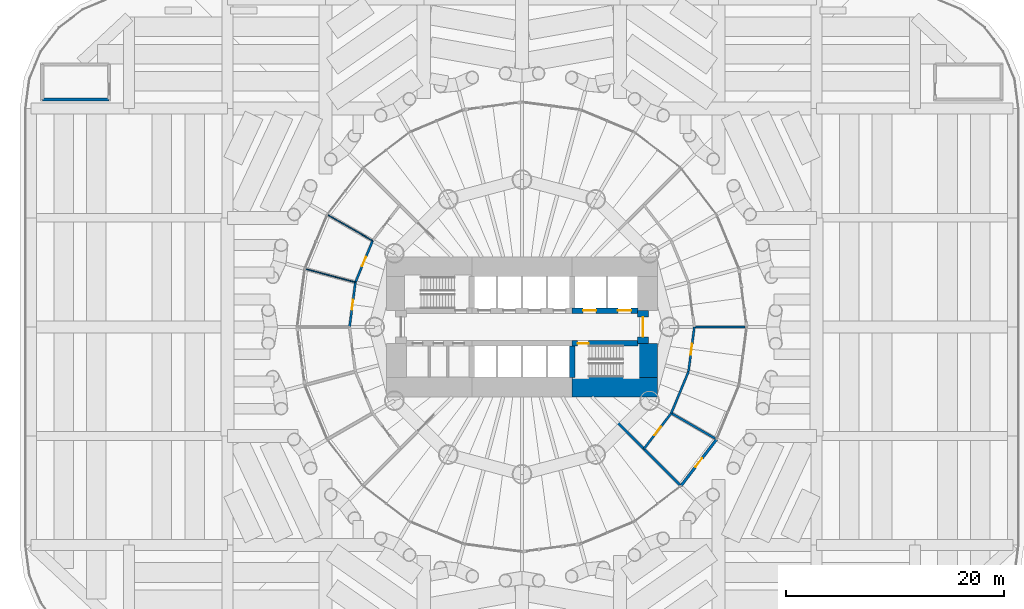
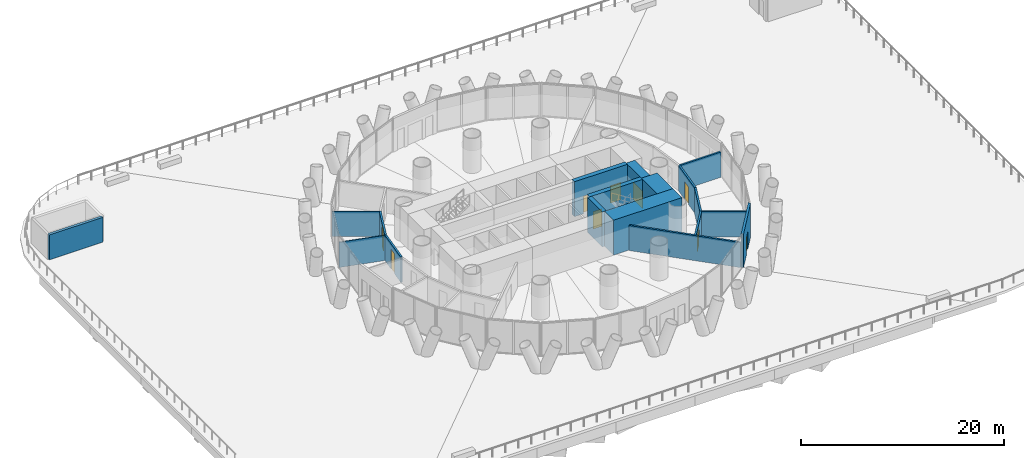
# One storey, part 14 of 19: 18 walls, 9 doors, 9 openings.
"""IFC4 building model written with IfcOpenShell, lengths in metres."""

from ifc_helpers import new_model, si_unit, direction, frame, frame_2d, origin, place, context, subcontext, project, spatial, rectangle, extrude, material, layer, layer_set, type_object, element, fill, save


model = new_model("IFC4")

# Units and contexts
model_context = context("Model", 3, precision=1e-05, world=origin(), true_north=direction((0.0, 1.0)))
body_context = subcontext(model_context, "Body", "Model", "MODEL_VIEW")
ifc_project = project(units=[si_unit("LENGTHUNIT", "METRE"), si_unit("AREAUNIT", "SQUARE_METRE"), si_unit("VOLUMEUNIT", "CUBIC_METRE"), si_unit("PLANEANGLEUNIT", "RADIAN"), si_unit("MASSUNIT", "GRAM", prefix="KILO")], contexts=[model_context])

# Site, building, storey
site_placement = place(None, origin())
site = spatial("IfcSite", under=ifc_project, at=site_placement, CompositionType="ELEMENT")
building_placement = place(site_placement, origin())
building = spatial("IfcBuilding", under=site, at=building_placement, Name="Qaws Media Tower", CompositionType="ELEMENT")
storey_placement = place(building_placement, frame((0.0, 0.0, 26.0)))
storey = spatial("IfcBuildingStorey", under=building, at=storey_placement, Name="L04", CompositionType="ELEMENT", Elevation=26.0)

# Wall, opening, door
ifc_material_1 = material(Name="Precast concrete, exposed finish", Category="concrete")
ifc_layer_1 = layer(ifc_material_1, 0.25)
ifc_layer_set_1 = layer_set([ifc_layer_1], Name="Balcony door wall 250")
wall_type_1 = type_object("IfcWallType", Name="Balcony door wall 250", PredefinedType="SOLIDWALL", material=ifc_layer_set_1)
wall_1_placement = place(storey_placement, frame((74.56640625, 35.43359375, 0.0), z_axis=(0.0, 0.0, 1.0), x_axis=(0.608760311307, 0.793354197933, 0.0)))
wall_1 = element("IfcWall", 1, at=wall_1_placement, inside=storey, type_object=wall_type_1, Name="W107 EW1 roof access wall L04-22", PredefinedType="SOLIDWALL", context=body_context, shape_type="SweptSolid", body=[
    extrude(rectangle(XDim=5.377685546875, YDim=0.25, at=frame_2d((2.68896484375, 0.0))), origin(), (0.0, 0.0, 1.0), 4.0400390625),
])
opening_1_placement = place(wall_1_placement, frame((2.188720703125, 0.0, 0.0)))
opening_1 = element("IfcOpeningElement", 2, at=opening_1_placement, cuts=wall_1, Name="Opening D26", PredefinedType="OPENING", context=body_context, shape_type="SweptSolid", body=[
    extrude(rectangle(XDim=1.0, YDim=2.10009765625, at=frame_2d((0.5, 1.050048828125))), frame((0.0, 0.135009765625, 0.0), z_axis=(0.0, -1.0, 0.0), x_axis=(1.0, 0.0, 0.0)), (0.0, 0.0, 1.0), 0.27001953125),
])
ifc_material_2 = material(Name="Steel, weatherproof, lockable", Category="steel")
door_type_1 = type_object("IfcDoorType", Name="Roof maintenance access door 1000", OperationType="SINGLE_SWING_LEFT", PredefinedType="DOOR", material=ifc_material_2)
door_1_placement = place(opening_1_placement, origin())
door_1 = element("IfcDoor", 3, at=door_1_placement, inside=storey, type_object=door_type_1, Name="D26 roof maintenance access door L04 (maintenance access only) in wall W107", OperationType="SINGLE_SWING_LEFT", OverallHeight=2.10009765625, OverallWidth=1.0, PredefinedType="DOOR", context=body_context, shape_type="SweptSolid", body=[
    extrude(rectangle(XDim=1.0, YDim=2.10009765625, at=frame_2d((0.5, 1.050048828125))), frame((0.0, 0.02490234375, 0.0), z_axis=(0.0, -1.0, 0.0), x_axis=(1.0, 0.0, 0.0)), (0.0, 0.0, 1.0), 0.050048828125),
])
fill(opening_1, door_1)

# Wall, openings, doors
ifc_material_3 = material(Name="Concrete C60/75", Category="concrete")
ifc_layer_2 = layer(ifc_material_3, 0.5)
ifc_layer_set_2 = layer_set([ifc_layer_2], Name="Core inner wall 500")
wall_type_2 = type_object("IfcWallType", Name="Core inner wall 500", PredefinedType="SHEAR", material=ifc_layer_set_2)
wall_2_placement = place(storey_placement, frame((64.60009765625, 51.5, 0.0), z_axis=(0.0, 0.0, 1.0), x_axis=(1.0, 0.0, 0.0)))
wall_2 = element("IfcWall", 4, at=wall_2_placement, inside=storey, type_object=wall_type_2, Name="W336 SW12 core wall SPNE L04", PredefinedType="SHEAR", context=body_context, shape_type="SweptSolid", body=[
    extrude(rectangle(XDim=6.02001953125, YDim=0.5, at=frame_2d((3.010009765625, 0.0))), origin(), (0.0, 0.0, 1.0), 4.199951171875),
])
opening_2_placement = place(wall_2_placement, frame((1.0, 0.0, 0.0)))
opening_2 = element("IfcOpeningElement", 5, at=opening_2_placement, cuts=wall_2, Name="Opening LD2", PredefinedType="OPENING", context=body_context, shape_type="SweptSolid", body=[
    extrude(rectangle(XDim=1.199951171875, YDim=2.10009765625, at=frame_2d((0.60009765625, 1.050048828125))), frame((0.0, 0.260009765625, 0.0), z_axis=(0.0, -1.0, 0.0), x_axis=(1.0, 0.0, 0.0)), (0.0, 0.0, 1.0), 0.52001953125),
])
opening_3_placement = place(wall_2_placement, frame((4.199951171875, 0.0, 0.0)))
opening_3 = element("IfcOpeningElement", 6, at=opening_3_placement, cuts=wall_2, Name="Opening LD2", PredefinedType="OPENING", context=body_context, shape_type="SweptSolid", body=[
    extrude(rectangle(XDim=1.199951171875, YDim=2.10009765625, at=frame_2d((0.60009765625, 1.050048828125))), frame((0.0, 0.260009765625, 0.0), z_axis=(0.0, -1.0, 0.0), x_axis=(1.0, 0.0, 0.0)), (0.0, 0.0, 1.0), 0.52001953125),
])
ifc_material_4 = material(Name="Steel, fire rated", Category="steel")
door_type_2 = type_object("IfcDoorType", Name="Lift landing door 1200", OperationType="SLIDING_TO_LEFT", PredefinedType="DOOR", material=ifc_material_4)
door_2_placement = place(opening_2_placement, origin())
door_2 = element("IfcDoor", 7, at=door_2_placement, inside=storey, type_object=door_type_2, Name="FL1 landing door L04 in wall W336", OperationType="SLIDING_TO_LEFT", OverallHeight=2.10009765625, OverallWidth=1.199951171875, PredefinedType="DOOR", context=body_context, shape_type="SweptSolid", body=[
    extrude(rectangle(XDim=1.199951171875, YDim=2.10009765625, at=frame_2d((0.60009765625, 1.050048828125))), frame((0.0, 0.02490234375, 0.0), z_axis=(0.0, -1.0, 0.0), x_axis=(1.0, 0.0, 0.0)), (0.0, 0.0, 1.0), 0.050048828125),
])
fill(opening_2, door_2)
door_3_placement = place(opening_3_placement, origin())
door_3 = element("IfcDoor", 8, at=door_3_placement, inside=storey, type_object=door_type_2, Name="FL2 landing door L04 in wall W336", OperationType="SLIDING_TO_LEFT", OverallHeight=2.10009765625, OverallWidth=1.199951171875, PredefinedType="DOOR", context=body_context, shape_type="SweptSolid", body=[
    extrude(rectangle(XDim=1.199951171875, YDim=2.10009765625, at=frame_2d((0.60009765625, 1.050048828125))), frame((0.0, 0.02490234375, 0.0), z_axis=(0.0, -1.0, 0.0), x_axis=(1.0, 0.0, 0.0)), (0.0, 0.0, 1.0), 0.050048828125),
])
fill(opening_3, door_3)

# Wall, opening, door
wall_3_placement = place(storey_placement, frame((64.60009765625, 48.5, 0.0), z_axis=(0.0, 0.0, 1.0), x_axis=(1.0, 0.0, 0.0)))
wall_3 = element("IfcWall", 9, at=wall_3_placement, inside=storey, type_object=wall_type_2, Name="W335 SW12 core wall SPSE L04", PredefinedType="SHEAR", context=body_context, shape_type="SweptSolid", body=[
    extrude(rectangle(XDim=6.02001953125, YDim=0.5, at=frame_2d((3.010009765625, 0.0))), origin(), (0.0, 0.0, 1.0), 4.199951171875),
])
opening_4_placement = place(wall_3_placement, frame((0.5, 0.0, 0.0)))
opening_4 = element("IfcOpeningElement", 10, at=opening_4_placement, cuts=wall_3, Name="Opening D1", PredefinedType="OPENING", context=body_context, shape_type="SweptSolid", body=[
    extrude(rectangle(XDim=1.0, YDim=2.10009765625, at=frame_2d((0.5, 1.050048828125))), frame((0.0, 0.260009765625, 0.0), z_axis=(0.0, -1.0, 0.0), x_axis=(1.0, 0.0, 0.0)), (0.0, 0.0, 1.0), 0.52001953125),
])
ifc_material_5 = material(Name="Steel, fire rated", Category="steel")
door_type_3 = type_object("IfcDoorType", Name="Stair door 1000 FD120", OperationType="SINGLE_SWING_LEFT", PredefinedType="DOOR", material=ifc_material_5)
door_4_placement = place(opening_4_placement, origin())
door_4 = element("IfcDoor", 11, at=door_4_placement, inside=storey, type_object=door_type_3, Name="D1 stair S2 door L04 in wall W335", OperationType="SINGLE_SWING_LEFT", OverallHeight=2.10009765625, OverallWidth=1.0, PredefinedType="DOOR", context=body_context, shape_type="SweptSolid", body=[
    extrude(rectangle(XDim=1.0, YDim=2.10009765625, at=frame_2d((0.5, 1.050048828125))), frame((0.0, 0.02490234375, 0.0), z_axis=(0.0, -1.0, 0.0), x_axis=(1.0, 0.0, 0.0)), (0.0, 0.0, 1.0), 0.050048828125),
])
fill(opening_4, door_4)

# Wall
wall_4_placement = place(storey_placement, frame((64.60009765625, 48.27001953125, 0.0), z_axis=(0.0, 0.0, 1.0), x_axis=(0.0, -1.0, 0.0)))
element("IfcWall", 12, at=wall_4_placement, inside=storey, type_object=wall_type_2, Name="W334 SW12 core wall XSE L04", PredefinedType="SHEAR", context=body_context, shape_type="SweptSolid", body=[
    extrude(rectangle(XDim=2.89013671875, YDim=0.5, at=frame_2d((1.445068359375, 0.0))), origin(), (0.0, 0.0, 1.0), 4.199951171875),
])

# Wall, opening, door
ifc_material_6 = material(Name="Concrete C60/75", Category="concrete")
ifc_layer_3 = layer(ifc_material_6, 1.0)
ifc_layer_set_3 = layer_set([ifc_layer_3], Name="Core wall 1000")
wall_type_3 = type_object("IfcWallType", Name="Core wall 1000", PredefinedType="SHEAR", material=ifc_layer_set_3)
wall_5_placement = place(storey_placement, frame((71.10009765625, 48.5, 0.0), z_axis=(0.0, 0.0, 1.0), x_axis=(0.0, 1.0, 0.0)))
wall_5 = element("IfcWall", 13, at=wall_5_placement, inside=storey, type_object=wall_type_3, Name="W365 SW8 core wall E L04", PredefinedType="SHEAR", context=body_context, shape_type="SweptSolid", body=[
    extrude(rectangle(XDim=3.0, YDim=1.0, at=frame_2d((1.5, 0.0))), origin(), (0.0, 0.0, 1.0), 4.199951171875),
])
opening_5_placement = place(wall_5_placement, frame((0.60009765625, 0.0, 0.0)))
opening_5 = element("IfcOpeningElement", 14, at=opening_5_placement, cuts=wall_5, Name="Opening D2", PredefinedType="OPENING", context=body_context, shape_type="SweptSolid", body=[
    extrude(rectangle(XDim=1.800048828125, YDim=2.10009765625, at=frame_2d((0.89990234375, 1.050048828125))), frame((0.0, 0.510009765625, 0.0), z_axis=(0.0, -1.0, 0.0), x_axis=(1.0, 0.0, 0.0)), (0.0, 0.0, 1.0), 1.02001953125),
])
ifc_material_7 = material(Name="Steel and glass, fire rated", Category="steel")
door_type_4 = type_object("IfcDoorType", Name="Lobby door pair 1800 FD60", OperationType="DOUBLE_DOOR_DOUBLE_SWING", PredefinedType="DOOR", material=ifc_material_7)
door_5_placement = place(opening_5_placement, origin())
door_5 = element("IfcDoor", 15, at=door_5_placement, inside=storey, type_object=door_type_4, Name="D2 core lobby door E L04 in wall W365", OperationType="DOUBLE_DOOR_DOUBLE_SWING", OverallHeight=2.10009765625, OverallWidth=1.800048828125, PredefinedType="DOOR", context=body_context, shape_type="SweptSolid", body=[
    extrude(rectangle(XDim=1.800048828125, YDim=2.10009765625, at=frame_2d((0.89990234375, 1.050048828125))), frame((0.0, 0.02490234375, 0.0), z_axis=(0.0, -1.0, 0.0), x_axis=(1.0, 0.0, 0.0)), (0.0, 0.0, 1.0), 0.050048828125),
])
fill(opening_5, door_5)

# Walls
ifc_material_8 = material(Name="Concrete C60/75", Category="concrete")
ifc_layer_4 = layer(ifc_material_8, 1.800048828125)
ifc_layer_set_4 = layer_set([ifc_layer_4], Name="Core wall 1800")
wall_type_4 = type_object("IfcWallType", Name="Core wall 1800", PredefinedType="SHEAR", material=ifc_layer_set_4)
wall_6_placement = place(storey_placement, frame((64.60009765625, 44.5, 0.0), z_axis=(0.0, 0.0, 1.0), x_axis=(1.0, 0.0, 0.0)))
element("IfcWall", 16, at=wall_6_placement, inside=storey, type_object=wall_type_4, Name="W405 SW11 core wall SE L04", PredefinedType="SHEAR", context=body_context, shape_type="SweptSolid", body=[
    extrude(rectangle(XDim=7.7998046875, YDim=1.800048828125, at=frame_2d((3.89990234375, 0.0))), origin(), (0.0, 0.0, 1.0), 4.199951171875),
])
wall_7_placement = place(storey_placement, frame((71.5, 45.3798828125, 0.0), z_axis=(0.0, 0.0, 1.0), x_axis=(0.0, 1.0, 0.0)))
element("IfcWall", 17, at=wall_7_placement, inside=storey, type_object=wall_type_4, Name="W407 SW11 core wall ES L04", PredefinedType="SHEAR", context=body_context, shape_type="SweptSolid", body=[
    extrude(rectangle(XDim=3.1201171875, YDim=1.800048828125, at=frame_2d((1.56005859375, 0.0))), origin(), (0.0, 0.0, 1.0), 4.199951171875),
])
ifc_material_9 = material(Name="Gypsum board on 70 metal studs, single layer each side", Category="gypsum")
ifc_layer_5 = layer(ifc_material_9, 0.10009765625)
ifc_layer_set_5 = layer_set([ifc_layer_5], Name="Office stud partition 100")
wall_type_5 = type_object("IfcWallType", Name="Office stud partition 100", PredefinedType="PARTITIONING", material=ifc_layer_set_5)
wall_8_placement = place(storey_placement, frame((46.31689453125, 57.89990234375, 0.0), z_axis=(0.0, 0.0, 1.0), x_axis=(-0.866015616091, 0.5000169524, 0.0)))
element("IfcWall", 18, at=wall_8_placement, inside=storey, type_object=wall_type_5, Name="W636 IW4 partition L04", PredefinedType="PARTITIONING", context=body_context, shape_type="SweptSolid", body=[
    extrude(rectangle(XDim=4.760009765625, YDim=0.10009765625, at=frame_2d((2.3798828125, 0.0))), origin(), (0.0, 0.0, 1.0), 3.0400390625),
])
wall_9_placement = place(storey_placement, frame((44.73828125, 54.08935546875, 0.0), z_axis=(0.0, 0.0, 1.0), x_axis=(-0.965926072385, 0.25881812666, 0.0)))
element("IfcWall", 19, at=wall_9_placement, inside=storey, type_object=wall_type_5, Name="W635 IW4 partition L04", PredefinedType="PARTITIONING", context=body_context, shape_type="SweptSolid", body=[
    extrude(rectangle(XDim=4.759765625, YDim=0.10009765625, at=frame_2d((2.3798828125, 0.0))), origin(), (0.0, 0.0, 1.0), 3.0400390625),
])

# Wall, opening, door
ifc_material_10 = material(Name="Gypsum board on galvanised metal studs, acoustic double stud, deflection head", Category="gypsum")
ifc_layer_6 = layer(ifc_material_10, 0.199951171875)
ifc_layer_set_6 = layer_set([ifc_layer_6], Name="Room partition 200")
wall_type_6 = type_object("IfcWallType", Name="Room partition 200", PredefinedType="PARTITIONING", material=ifc_layer_set_6)
wall_10_placement = place(storey_placement, frame((44.199951171875, 50.0, 0.0), z_axis=(0.0, 0.0, 1.0), x_axis=(0.130515758099, 0.991446234996, 0.0)))
wall_10 = element("IfcWall", 20, at=wall_10_placement, inside=storey, type_object=wall_type_6, Name="W941 IW3 partition L04", PredefinedType="PARTITIONING", context=body_context, shape_type="SweptSolid", body=[
    extrude(rectangle(XDim=4.124755859375, YDim=0.199951171875, at=frame_2d((2.0625, 0.0))), origin(), (0.0, 0.0, 1.0), 3.0400390625),
])
opening_6_placement = place(wall_10_placement, frame((1.6123046875, 0.0, 0.0)))
opening_6 = element("IfcOpeningElement", 21, at=opening_6_placement, cuts=wall_10, Name="Opening D12", PredefinedType="OPENING", context=body_context, shape_type="SweptSolid", body=[
    extrude(rectangle(XDim=0.89990234375, YDim=2.39990234375, at=frame_2d((0.449951171875, 1.199951171875))), frame((0.0, 0.10986328125, 0.0), z_axis=(0.0, -1.0, 0.0), x_axis=(1.0, 0.0, 0.0)), (0.0, 0.0, 1.0), 0.219970703125),
])
ifc_material_11 = material(Name="Timber veneered, full height", Category="wood")
door_type_5 = type_object("IfcDoorType", Name="Office door 900x2400", OperationType="SINGLE_SWING_LEFT", PredefinedType="DOOR", material=ifc_material_11)
door_6_placement = place(opening_6_placement, origin())
door_6 = element("IfcDoor", 22, at=door_6_placement, inside=storey, type_object=door_type_5, Name="D12 Editor's office door L04 in wall W941", OperationType="SINGLE_SWING_LEFT", OverallHeight=2.39990234375, OverallWidth=0.89990234375, PredefinedType="DOOR", context=body_context, shape_type="SweptSolid", body=[
    extrude(rectangle(XDim=0.89990234375, YDim=2.39990234375, at=frame_2d((0.449951171875, 1.199951171875))), frame((0.0, 0.02490234375, 0.0), z_axis=(0.0, -1.0, 0.0), x_axis=(1.0, 0.0, 0.0)), (0.0, 0.0, 1.0), 0.050048828125),
])
fill(opening_6, door_6)

wall_11_placement = place(storey_placement, frame((44.73828125, 54.08935546875, 0.0), z_axis=(0.0, 0.0, 1.0), x_axis=(0.382731667114, 0.923859551549, 0.0)))
wall_11 = element("IfcWall", 23, at=wall_11_placement, inside=storey, type_object=wall_type_6, Name="W944 IW3 partition L04", PredefinedType="PARTITIONING", context=body_context, shape_type="SweptSolid", body=[
    extrude(rectangle(XDim=4.12451171875, YDim=0.199951171875, at=frame_2d((2.062255859375, 0.0))), origin(), (0.0, 0.0, 1.0), 3.0400390625),
])
opening_7_placement = place(wall_11_placement, frame((1.6123046875, 0.0, 0.0)))
opening_7 = element("IfcOpeningElement", 24, at=opening_7_placement, cuts=wall_11, Name="Opening D12", PredefinedType="OPENING", context=body_context, shape_type="SweptSolid", body=[
    extrude(rectangle(XDim=0.89990234375, YDim=2.39990234375, at=frame_2d((0.449951171875, 1.199951171875))), frame((0.0, 0.10986328125, 0.0), z_axis=(0.0, -1.0, 0.0), x_axis=(1.0, 0.0, 0.0)), (0.0, 0.0, 1.0), 0.219970703125),
])
door_7_placement = place(opening_7_placement, origin())
door_7 = element("IfcDoor", 25, at=door_7_placement, inside=storey, type_object=door_type_5, Name="D12 Editor's office door L04 in wall W944", OperationType="SINGLE_SWING_LEFT", OverallHeight=2.39990234375, OverallWidth=0.89990234375, PredefinedType="DOOR", context=body_context, shape_type="SweptSolid", body=[
    extrude(rectangle(XDim=0.89990234375, YDim=2.39990234375, at=frame_2d((0.449951171875, 1.199951171875))), frame((0.0, 0.02490234375, 0.0), z_axis=(0.0, -1.0, 0.0), x_axis=(1.0, 0.0, 0.0)), (0.0, 0.0, 1.0), 0.050048828125),
])
fill(opening_7, door_7)

wall_12_placement = place(storey_placement, frame((75.800048828125, 50.0, 0.0), z_axis=(0.0, 0.0, 1.0), x_axis=(-0.130515758099, -0.991446234996, 0.0)))
wall_12 = element("IfcWall", 26, at=wall_12_placement, inside=storey, type_object=wall_type_6, Name="W959 IW3 partition L04", PredefinedType="PARTITIONING", context=body_context, shape_type="SweptSolid", body=[
    extrude(rectangle(XDim=4.124755859375, YDim=0.199951171875, at=frame_2d((2.0625, 0.0))), origin(), (0.0, 0.0, 1.0), 3.0400390625),
])
opening_8_placement = place(wall_12_placement, frame((1.562255859375, 0.0, 0.0)))
opening_8 = element("IfcOpeningElement", 27, at=opening_8_placement, cuts=wall_12, Name="Opening D5", PredefinedType="OPENING", context=body_context, shape_type="SweptSolid", body=[
    extrude(rectangle(XDim=1.0, YDim=2.10009765625, at=frame_2d((0.5, 1.050048828125))), frame((0.0, 0.10986328125, 0.0), z_axis=(0.0, -1.0, 0.0), x_axis=(1.0, 0.0, 0.0)), (0.0, 0.0, 1.0), 0.219970703125),
])
ifc_material_12 = material(Name="Timber veneered, acoustic seal", Category="wood")
door_type_6 = type_object("IfcDoorType", Name="Room door 1000", OperationType="SINGLE_SWING_LEFT", PredefinedType="DOOR", material=ifc_material_12)
door_8_placement = place(opening_8_placement, origin())
door_8 = element("IfcDoor", 28, at=door_8_placement, inside=storey, type_object=door_type_6, Name="D5 Newsroom cafe door L04 in wall W959", OperationType="SINGLE_SWING_LEFT", OverallHeight=2.10009765625, OverallWidth=1.0, PredefinedType="DOOR", context=body_context, shape_type="SweptSolid", body=[
    extrude(rectangle(XDim=1.0, YDim=2.10009765625, at=frame_2d((0.5, 1.050048828125))), frame((0.0, 0.02490234375, 0.0), z_axis=(0.0, -1.0, 0.0), x_axis=(1.0, 0.0, 0.0)), (0.0, 0.0, 1.0), 0.050048828125),
])
fill(opening_8, door_8)

# Wall
wall_13_placement = place(storey_placement, frame((75.26171875, 45.91064453125, 0.0), z_axis=(0.0, 0.0, 1.0), x_axis=(-0.382731667114, -0.923859551549, 0.0)))
element("IfcWall", 29, at=wall_13_placement, inside=storey, type_object=wall_type_6, Name="W957 IW3 partition L04", PredefinedType="PARTITIONING", context=body_context, shape_type="SweptSolid", body=[
    extrude(rectangle(XDim=4.12451171875, YDim=0.199951171875, at=frame_2d((2.062255859375, 0.0))), origin(), (0.0, 0.0, 1.0), 3.0400390625),
])

# Wall, opening, door
wall_14_placement = place(storey_placement, frame((73.68310546875, 42.10009765625, 0.0), z_axis=(0.0, 0.0, 1.0), x_axis=(-0.608714823874, -0.793389099494, 0.0)))
wall_14 = element("IfcWall", 30, at=wall_14_placement, inside=storey, type_object=wall_type_6, Name="W954 IW3 partition L04", PredefinedType="PARTITIONING", context=body_context, shape_type="SweptSolid", body=[
    extrude(rectangle(XDim=4.124755859375, YDim=0.199951171875, at=frame_2d((2.0625, 0.0))), origin(), (0.0, 0.0, 1.0), 3.0400390625),
])
opening_9_placement = place(wall_14_placement, frame((1.562255859375, 0.0, 0.0)))
opening_9 = element("IfcOpeningElement", 31, at=opening_9_placement, cuts=wall_14, Name="Opening D5", PredefinedType="OPENING", context=body_context, shape_type="SweptSolid", body=[
    extrude(rectangle(XDim=1.0, YDim=2.10009765625, at=frame_2d((0.5, 1.050048828125))), frame((0.0, 0.10986328125, 0.0), z_axis=(0.0, -1.0, 0.0), x_axis=(1.0, 0.0, 0.0)), (0.0, 0.0, 1.0), 0.219970703125),
])
door_9_placement = place(opening_9_placement, origin())
door_9 = element("IfcDoor", 32, at=door_9_placement, inside=storey, type_object=door_type_6, Name="D5 Roof access room door L04 in wall W954", OperationType="SINGLE_SWING_LEFT", OverallHeight=2.10009765625, OverallWidth=1.0, PredefinedType="DOOR", context=body_context, shape_type="SweptSolid", body=[
    extrude(rectangle(XDim=1.0, YDim=2.10009765625, at=frame_2d((0.5, 1.050048828125))), frame((0.0, 0.02490234375, 0.0), z_axis=(0.0, -1.0, 0.0), x_axis=(1.0, 0.0, 0.0)), (0.0, 0.0, 1.0), 0.050048828125),
])
fill(opening_9, door_9)

# Walls
wall_15_placement = place(storey_placement, frame((75.800048828125, 50.0, 0.0), z_axis=(0.0, 0.0, 1.0), x_axis=(1.0, 0.0, 0.0)))
element("IfcWall", 33, at=wall_15_placement, inside=storey, type_object=wall_type_6, Name="W960 IW3 partition L04", PredefinedType="PARTITIONING", context=body_context, shape_type="SweptSolid", body=[
    extrude(rectangle(XDim=4.659912109375, YDim=0.199951171875, at=frame_2d((2.330078125, 0.0))), origin(), (0.0, 0.0, 1.0), 3.0400390625),
])
wall_16_placement = place(storey_placement, frame((66.39990234375, 43.60009765625, 0.0), z_axis=(0.0, 0.0, 1.0), x_axis=(0.707106781187, -0.707106781187, 0.0)))
element("IfcWall", 34, at=wall_16_placement, inside=storey, type_object=wall_type_6, Name="W951 IW3 partition L04", PredefinedType="PARTITIONING", context=body_context, shape_type="SweptSolid", body=[
    extrude(rectangle(XDim=11.408935546875, YDim=0.199951171875, at=frame_2d((5.70458984375, 0.0))), origin(), (0.0, 0.0, 1.0), 3.02001953125),
])
wall_17_placement = place(storey_placement, frame((73.68310546875, 42.10009765625, 0.0), z_axis=(0.0, 0.0, 1.0), x_axis=(0.866029425763, -0.499993033663, 0.0)))
element("IfcWall", 35, at=wall_17_placement, inside=storey, type_object=wall_type_6, Name="W955 IW3 partition L04", PredefinedType="PARTITIONING", context=body_context, shape_type="SweptSolid", body=[
    extrude(rectangle(XDim=4.66015625, YDim=0.199951171875, at=frame_2d((2.330078125, 0.0))), origin(), (0.0, 0.0, 1.0), 3.0400390625),
])
ifc_material_13 = material(Name="Concrete C60/75", Category="concrete")
ifc_layer_7 = layer(ifc_material_13, 0.300048828125)
ifc_layer_set_7 = layer_set([ifc_layer_7], Name="Stair enclosure wall 300")
wall_type_7 = type_object("IfcWallType", Name="Stair enclosure wall 300", PredefinedType="SHEAR", material=ifc_layer_set_7)
wall_18_placement = place(storey_placement, frame((16.050048828125, 70.85009765625, 0.0), z_axis=(0.0, 0.0, 1.0), x_axis=(1.0, 0.0, 0.0)))
element("IfcWall", 36, at=wall_18_placement, inside=storey, type_object=wall_type_7, Name="W1891 SW7 stair S3 enclosure S L04", PredefinedType="SHEAR", context=body_context, shape_type="SweptSolid", body=[
    extrude(rectangle(XDim=6.099853515625, YDim=0.300048828125, at=frame_2d((3.0498046875, 0.0))), origin(), (0.0, 0.0, 1.0), 3.0),
])

save(model, "model.ifc")
